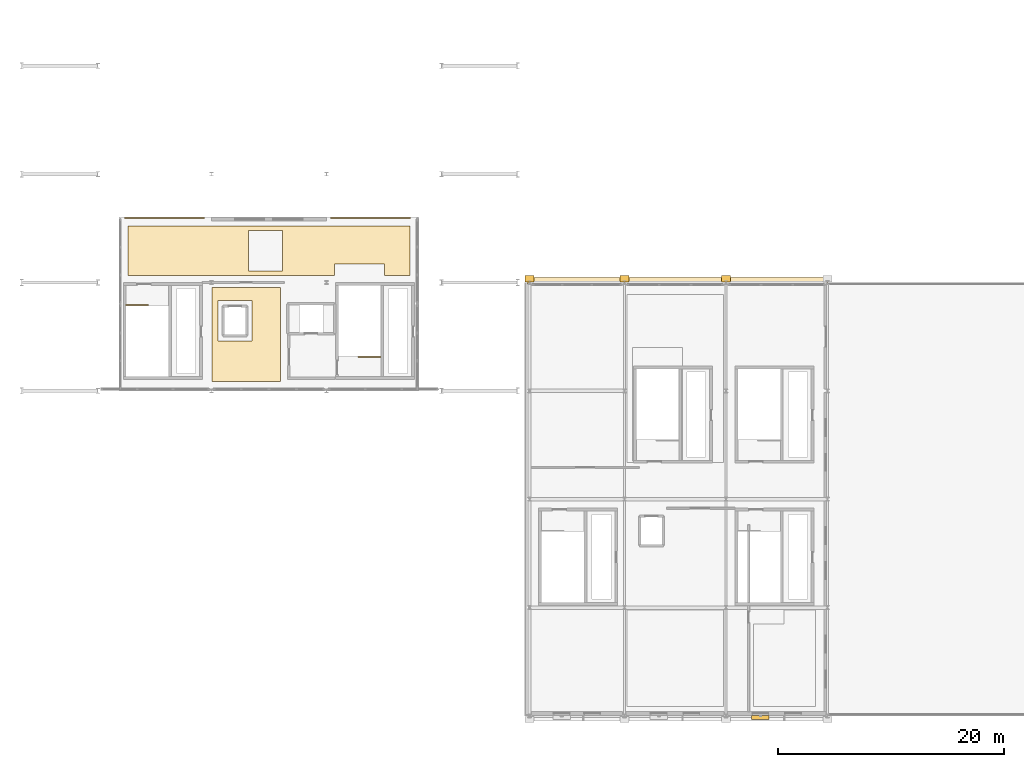
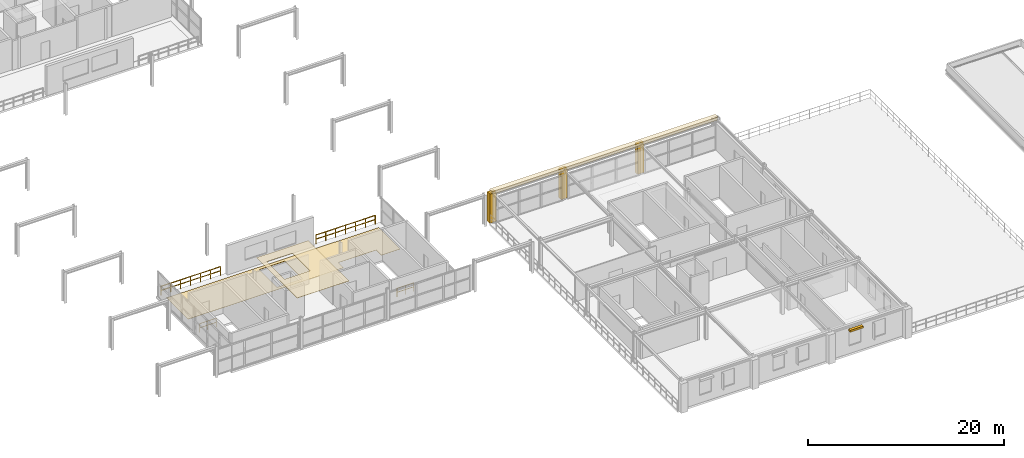
# One storey, part 45 of 52: 6 coverings, 4 railings, 1 shading device.
"""IFC4 building model written with IfcOpenShell, lengths in metres."""

from ifc_helpers import new_model, si_unit, direction, frame, origin, origin_2d, place, context, subcontext, project, spatial, polyline, rectangle, outline, extrude, material, layer, layer_set, type_object, element, save


model = new_model("IFC4")

# Units and contexts
model_context = context("Model", 3, precision=1e-05, world=origin(), true_north=direction((0.0, 1.0)))
body_context = subcontext(model_context, "Body", "Model", "MODEL_VIEW")
ifc_project = project(units=[si_unit("LENGTHUNIT", "METRE"), si_unit("AREAUNIT", "SQUARE_METRE"), si_unit("VOLUMEUNIT", "CUBIC_METRE"), si_unit("PLANEANGLEUNIT", "RADIAN"), si_unit("MASSUNIT", "GRAM", prefix="KILO")], contexts=[model_context])

# Site, building, storey
site_placement = place(None, origin())
site = spatial("IfcSite", under=ifc_project, at=site_placement, CompositionType="ELEMENT")
building_placement = place(site_placement, origin())
building = spatial("IfcBuilding", under=site, at=building_placement, Name="Myrtia Square Station", CompositionType="ELEMENT")
storey_placement = place(building_placement, frame((0.0, 0.0, 15.0)))
storey = spatial("IfcBuildingStorey", under=building, at=storey_placement, Name="L03", CompositionType="ELEMENT", Elevation=15.0)

# Coverings
ifc_material_1 = material(Name="Pentelic marble ashlar", Category="masonry")
ifc_layer_1 = layer(ifc_material_1, 0.4599609375, Name="Pentelic marble ashlar")
ifc_layer_set_1 = layer_set([ifc_layer_1], Name="Pentelic marble ashlar")
covering_type_1 = type_object("IfcCoveringType", Name="COV-ARCH-ASHLAR", PredefinedType="CLADDING", material=ifc_layer_set_1)
for number, where, z_axis, x_axis, name in (
    (1, (117.60009765625, 38.719970703125, -0.0400390625), (0.0, 0.0, 1.0), (1.0, 0.0, 0.0), "Classical Pentelic ashlar pilaster 007"),
    (2, (126.0, 38.719970703125, -0.0400390625), (0.0, 0.0, 1.0), (1.0, 0.0, 0.0), "Classical Pentelic ashlar pilaster 015"),
    (3, (135.0, 38.719970703125, -0.0400390625), (0.0, 0.0, 1.0), (1.0, 0.0, 0.0), "Classical Pentelic ashlar pilaster 023"),
):
    element("IfcCovering", number, at=place(storey_placement, frame(where, z_axis=z_axis, x_axis=x_axis)), inside=storey, type_object=covering_type_1, Name=name, PredefinedType="CLADDING", context=body_context, shape_type="SweptSolid", body=[
        extrude(rectangle(XDim=0.780029296875, YDim=0.56005859375, at=origin_2d()), origin(), (0.0, 0.0, 1.0), 3.639892578125),
    ])
ifc_material_2 = material(Name="Gypsum plasterboard")
ifc_layer_2 = layer(ifc_material_2, 0.034912109375, Name="Gypsum plasterboard")
ifc_layer_set_2 = layer_set([ifc_layer_2], Name="Gypsum plasterboard")
covering_type_2 = type_object("IfcCoveringType", Name="COV-CEIL-ACOUSTIC", PredefinedType="CEILING", material=ifc_layer_set_2)
covering_1_placement = place(storey_placement, frame((0.0, 0.0, 5.68505859375)))
element("IfcCovering", 4, at=covering_1_placement, inside=storey, type_object=covering_type_2, Name="Acoustic coffer ceiling L03-01", PredefinedType="CEILING", context=body_context, shape_type="SweptSolid", body=[
    extrude(outline(polyline([(95.550048828125, 37.949951171875), (95.550048828125, 29.64990234375), (89.449951171875, 29.64990234375), (89.449951171875, 37.949951171875), (95.550048828125, 37.949951171875)]), holes=[polyline([(90.0, 36.800048828125), (90.0, 33.199951171875), (93.0, 33.199951171875), (93.0, 36.800048828125), (90.0, 36.800048828125)])]), origin(), (0.0, 0.0, 1.0), 0.034912109375),
])
ifc_layer_3 = layer(ifc_material_1, 0.47998046875, Name="Pentelic marble ashlar")
ifc_layer_set_3 = layer_set([ifc_layer_3], Name="Pentelic marble ashlar")
covering_type_3 = type_object("IfcCoveringType", Name="COV-CORNICE-ASHLAR", PredefinedType="MOLDING", material=ifc_layer_set_3)
covering_2_placement = place(storey_placement, frame((130.699951171875, 38.570068359375, 3.580078125), z_axis=(0.0, 0.0, 1.0), x_axis=(1.0, 0.0, 0.0)))
element("IfcCovering", 5, at=covering_2_placement, inside=storey, type_object=covering_type_3, Name="Classical entablature cornice moulding 006", PredefinedType="MOLDING", context=body_context, shape_type="SweptSolid", body=[
    extrude(rectangle(XDim=26.60009765625, YDim=0.580078125, at=origin_2d()), origin(), (0.0, 0.0, 1.0), 0.360107421875),
])
ifc_material_3 = material(Name="Terrazzo stone tile", Category="masonry")
ifc_layer_4 = layer(ifc_material_3, 0.02490234375, Name="Terrazzo stone tile")
ifc_layer_set_4 = layer_set([ifc_layer_4], Name="Terrazzo stone tile")
covering_type_4 = type_object("IfcCoveringType", Name="COV-FLR-TERRAZZO", PredefinedType="FLOORING", material=ifc_layer_set_4)
covering_3_placement = place(storey_placement, origin())
element("IfcCovering", 6, at=covering_3_placement, inside=storey, type_object=covering_type_4, Name="Terrazzo concourse flooring L03-C1", PredefinedType="FLOORING", context=body_context, shape_type="SweptSolid", body=[
    extrude(outline(polyline([(82.0, 43.39990234375), (107.0, 43.39990234375), (107.0, 39.0), (104.760009765625, 39.0), (104.760009765625, 40.050048828125), (100.300048828125, 40.050048828125), (100.300048828125, 39.0), (82.0, 39.0), (82.0, 43.39990234375)]), holes=[polyline([(95.699951171875, 43.0), (92.699951171875, 43.0), (92.699951171875, 39.39990234375), (95.699951171875, 39.39990234375), (95.699951171875, 43.0)])]), origin(), (0.0, 0.0, 1.0), 0.02490234375),
])

# Railings
ifc_material_4 = material(Name="Wrought iron", Category="steel")
railing_type = type_object("IfcRailingType", Name="RL-INT-GUARD-1100", PredefinedType="BALUSTRADE", material=ifc_material_4)
railing_1_placement = place(storey_placement, frame((81.85009765625, 36.39990234375, 0.0)))
element("IfcRailing", 7, at=railing_1_placement, inside=storey, type_object=railing_type, Name="L03 ST01 top well guard 1", PredefinedType="BALUSTRADE", context=body_context, shape_type="SweptSolid", body=[
    extrude(rectangle(XDim=0.048095703125, YDim=0.048095703125, at=origin_2d()), frame((0.03466796875, 0.0, 1.09619140625), z_axis=(1.0, 0.0, 0.0), x_axis=(0.0, 1.0, 0.0)), (0.0, 0.0, 1.0), 0.91064453125),
    extrude(rectangle(XDim=0.048095703125, YDim=0.048095703125, at=origin_2d()), frame((0.03466796875, 0.0, 0.58251953125), z_axis=(1.0, 0.0, 0.0), x_axis=(0.0, 1.0, 0.0)), (0.0, 0.0, 1.0), 0.91064453125),
    extrude(rectangle(XDim=0.048095703125, YDim=0.048095703125, at=origin_2d()), frame((1.0146484375, 0.0, 1.09619140625), z_axis=(1.0, 0.0, 0.0), x_axis=(0.0, 1.0, 0.0)), (0.0, 0.0, 1.0), 0.91064453125),
    extrude(rectangle(XDim=0.048095703125, YDim=0.048095703125, at=origin_2d()), frame((1.0146484375, 0.0, 0.58251953125), z_axis=(1.0, 0.0, 0.0), x_axis=(0.0, 1.0, 0.0)), (0.0, 0.0, 1.0), 0.91064453125),
    extrude(rectangle(XDim=0.0439453125, YDim=0.0439453125, at=origin_2d()), origin(), (0.0, 0.0, 1.0), 1.1201171875),
    extrude(rectangle(XDim=0.0439453125, YDim=0.0439453125, at=origin_2d()), frame((0.97998046875, 0.0, 0.0)), (0.0, 0.0, 1.0), 1.1201171875),
    extrude(rectangle(XDim=0.0439453125, YDim=0.0439453125, at=origin_2d()), frame((1.9599609375, 0.0, 0.0)), (0.0, 0.0, 1.0), 1.1201171875),
])
railing_2_placement = place(storey_placement, frame((104.409912109375, 31.800048828125, 0.0)))
element("IfcRailing", 8, at=railing_2_placement, inside=storey, type_object=railing_type, Name="L03 ST03 top well guard 1", PredefinedType="BALUSTRADE", context=body_context, shape_type="SweptSolid", body=[
    extrude(rectangle(XDim=0.048095703125, YDim=0.048095703125, at=origin_2d()), frame((-0.03466796875, 0.0, 1.09619140625), z_axis=(-1.0, 0.0, 0.0), x_axis=(0.0, -1.0, 0.0)), (0.0, 0.0, 1.0), 0.91064453125),
    extrude(rectangle(XDim=0.048095703125, YDim=0.048095703125, at=origin_2d()), frame((-0.03466796875, 0.0, 0.58251953125), z_axis=(-1.0, 0.0, 0.0), x_axis=(0.0, -1.0, 0.0)), (0.0, 0.0, 1.0), 0.91064453125),
    extrude(rectangle(XDim=0.048095703125, YDim=0.048095703125, at=origin_2d()), frame((-1.0146484375, 0.0, 1.09619140625), z_axis=(-1.0, 0.0, 0.0), x_axis=(0.0, -1.0, 0.0)), (0.0, 0.0, 1.0), 0.91064453125),
    extrude(rectangle(XDim=0.048095703125, YDim=0.048095703125, at=origin_2d()), frame((-1.0146484375, 0.0, 0.58251953125), z_axis=(-1.0, 0.0, 0.0), x_axis=(0.0, -1.0, 0.0)), (0.0, 0.0, 1.0), 0.91064453125),
    extrude(rectangle(XDim=0.0439453125, YDim=0.0439453125, at=origin_2d()), origin(), (0.0, 0.0, 1.0), 1.1201171875),
    extrude(rectangle(XDim=0.0439453125, YDim=0.0439453125, at=origin_2d()), frame((-0.97998046875, 0.0, 0.0)), (0.0, 0.0, 1.0), 1.1201171875),
    extrude(rectangle(XDim=0.0439453125, YDim=0.0439453125, at=origin_2d()), frame((-1.9599609375, 0.0, 0.0)), (0.0, 0.0, 1.0), 1.1201171875),
])
railing_3_placement = place(storey_placement, frame((107.0, 44.1201171875, 0.0)))
element("IfcRailing", 9, at=railing_3_placement, inside=storey, type_object=railing_type, Name="Perimeter slab edge balustrade L03-058", PredefinedType="BALUSTRADE", context=body_context, shape_type="SweptSolid", body=[
    extrude(rectangle(XDim=0.048095703125, YDim=0.048095703125, at=origin_2d()), frame((-0.03466796875, 0.0, 1.09619140625), z_axis=(-1.0, 0.0, 0.0), x_axis=(0.0, -1.0, 0.0)), (0.0, 0.0, 1.0), 1.097412109375),
    extrude(rectangle(XDim=0.048095703125, YDim=0.048095703125, at=origin_2d()), frame((-0.03466796875, 0.0, 0.58251953125), z_axis=(-1.0, 0.0, 0.0), x_axis=(0.0, -1.0, 0.0)), (0.0, 0.0, 1.0), 1.097412109375),
    extrude(rectangle(XDim=0.048095703125, YDim=0.048095703125, at=origin_2d()), frame((-1.201416015625, 0.0, 1.09619140625), z_axis=(-1.0, 0.0, 0.0), x_axis=(0.0, -1.0, 0.0)), (0.0, 0.0, 1.0), 1.097412109375),
    extrude(rectangle(XDim=0.048095703125, YDim=0.048095703125, at=origin_2d()), frame((-1.201416015625, 0.0, 0.58251953125), z_axis=(-1.0, 0.0, 0.0), x_axis=(0.0, -1.0, 0.0)), (0.0, 0.0, 1.0), 1.097412109375),
    extrude(rectangle(XDim=0.048095703125, YDim=0.048095703125, at=origin_2d()), frame((-2.367919921875, 0.0, 1.09619140625), z_axis=(-1.0, 0.0, 0.0), x_axis=(0.0, -1.0, 0.0)), (0.0, 0.0, 1.0), 1.097412109375),
    extrude(rectangle(XDim=0.048095703125, YDim=0.048095703125, at=origin_2d()), frame((-2.367919921875, 0.0, 0.58251953125), z_axis=(-1.0, 0.0, 0.0), x_axis=(0.0, -1.0, 0.0)), (0.0, 0.0, 1.0), 1.097412109375),
    extrude(rectangle(XDim=0.048095703125, YDim=0.048095703125, at=origin_2d()), frame((-3.53466796875, 0.0, 1.09619140625), z_axis=(-1.0, 0.0, 0.0), x_axis=(0.0, -1.0, 0.0)), (0.0, 0.0, 1.0), 1.097412109375),
    extrude(rectangle(XDim=0.048095703125, YDim=0.048095703125, at=origin_2d()), frame((-3.53466796875, 0.0, 0.58251953125), z_axis=(-1.0, 0.0, 0.0), x_axis=(0.0, -1.0, 0.0)), (0.0, 0.0, 1.0), 1.097412109375),
    extrude(rectangle(XDim=0.048095703125, YDim=0.048095703125, at=origin_2d()), frame((-4.701416015625, 0.0, 1.09619140625), z_axis=(-1.0, 0.0, 0.0), x_axis=(0.0, -1.0, 0.0)), (0.0, 0.0, 1.0), 1.097412109375),
    extrude(rectangle(XDim=0.048095703125, YDim=0.048095703125, at=origin_2d()), frame((-4.701416015625, 0.0, 0.58251953125), z_axis=(-1.0, 0.0, 0.0), x_axis=(0.0, -1.0, 0.0)), (0.0, 0.0, 1.0), 1.097412109375),
    extrude(rectangle(XDim=0.048095703125, YDim=0.048095703125, at=origin_2d()), frame((-5.867919921875, 0.0, 1.09619140625), z_axis=(-1.0, 0.0, 0.0), x_axis=(0.0, -1.0, 0.0)), (0.0, 0.0, 1.0), 1.097412109375),
    extrude(rectangle(XDim=0.048095703125, YDim=0.048095703125, at=origin_2d()), frame((-5.867919921875, 0.0, 0.58251953125), z_axis=(-1.0, 0.0, 0.0), x_axis=(0.0, -1.0, 0.0)), (0.0, 0.0, 1.0), 1.097412109375),
    extrude(rectangle(XDim=0.0439453125, YDim=0.0439453125, at=origin_2d()), origin(), (0.0, 0.0, 1.0), 1.1201171875),
    extrude(rectangle(XDim=0.0439453125, YDim=0.0439453125, at=origin_2d()), frame((-1.166748046875, 0.0, 0.0)), (0.0, 0.0, 1.0), 1.1201171875),
    extrude(rectangle(XDim=0.0439453125, YDim=0.0439453125, at=origin_2d()), frame((-2.333251953125, 0.0, 0.0)), (0.0, 0.0, 1.0), 1.1201171875),
    extrude(rectangle(XDim=0.0439453125, YDim=0.0439453125, at=origin_2d()), frame((-3.5, 0.0, 0.0)), (0.0, 0.0, 1.0), 1.1201171875),
    extrude(rectangle(XDim=0.0439453125, YDim=0.0439453125, at=origin_2d()), frame((-4.666748046875, 0.0, 0.0)), (0.0, 0.0, 1.0), 1.1201171875),
    extrude(rectangle(XDim=0.0439453125, YDim=0.0439453125, at=origin_2d()), frame((-5.833251953125, 0.0, 0.0)), (0.0, 0.0, 1.0), 1.1201171875),
    extrude(rectangle(XDim=0.0439453125, YDim=0.0439453125, at=origin_2d()), frame((-7.0, 0.0, 0.0)), (0.0, 0.0, 1.0), 1.1201171875),
])
railing_4_placement = place(storey_placement, frame((88.75, 44.1201171875, 0.0)))
element("IfcRailing", 10, at=railing_4_placement, inside=storey, type_object=railing_type, Name="Perimeter slab edge balustrade L03-059", PredefinedType="BALUSTRADE", context=body_context, shape_type="SweptSolid", body=[
    extrude(rectangle(XDim=0.048095703125, YDim=0.048095703125, at=origin_2d()), frame((-0.03466796875, 0.0, 1.09619140625), z_axis=(-1.0, 0.0, 0.0), x_axis=(0.0, -1.0, 0.0)), (0.0, 0.0, 1.0), 1.097412109375),
    extrude(rectangle(XDim=0.048095703125, YDim=0.048095703125, at=origin_2d()), frame((-0.03466796875, 0.0, 0.58251953125), z_axis=(-1.0, 0.0, 0.0), x_axis=(0.0, -1.0, 0.0)), (0.0, 0.0, 1.0), 1.097412109375),
    extrude(rectangle(XDim=0.048095703125, YDim=0.048095703125, at=origin_2d()), frame((-1.201416015625, 0.0, 1.09619140625), z_axis=(-1.0, 0.0, 0.0), x_axis=(0.0, -1.0, 0.0)), (0.0, 0.0, 1.0), 1.097412109375),
    extrude(rectangle(XDim=0.048095703125, YDim=0.048095703125, at=origin_2d()), frame((-1.201416015625, 0.0, 0.58251953125), z_axis=(-1.0, 0.0, 0.0), x_axis=(0.0, -1.0, 0.0)), (0.0, 0.0, 1.0), 1.097412109375),
    extrude(rectangle(XDim=0.048095703125, YDim=0.048095703125, at=origin_2d()), frame((-2.367919921875, 0.0, 1.09619140625), z_axis=(-1.0, 0.0, 0.0), x_axis=(0.0, -1.0, 0.0)), (0.0, 0.0, 1.0), 1.097412109375),
    extrude(rectangle(XDim=0.048095703125, YDim=0.048095703125, at=origin_2d()), frame((-2.367919921875, 0.0, 0.58251953125), z_axis=(-1.0, 0.0, 0.0), x_axis=(0.0, -1.0, 0.0)), (0.0, 0.0, 1.0), 1.097412109375),
    extrude(rectangle(XDim=0.048095703125, YDim=0.048095703125, at=origin_2d()), frame((-3.53466796875, 0.0, 1.09619140625), z_axis=(-1.0, 0.0, 0.0), x_axis=(0.0, -1.0, 0.0)), (0.0, 0.0, 1.0), 1.097412109375),
    extrude(rectangle(XDim=0.048095703125, YDim=0.048095703125, at=origin_2d()), frame((-3.53466796875, 0.0, 0.58251953125), z_axis=(-1.0, 0.0, 0.0), x_axis=(0.0, -1.0, 0.0)), (0.0, 0.0, 1.0), 1.097412109375),
    extrude(rectangle(XDim=0.048095703125, YDim=0.048095703125, at=origin_2d()), frame((-4.701416015625, 0.0, 1.09619140625), z_axis=(-1.0, 0.0, 0.0), x_axis=(0.0, -1.0, 0.0)), (0.0, 0.0, 1.0), 1.097412109375),
    extrude(rectangle(XDim=0.048095703125, YDim=0.048095703125, at=origin_2d()), frame((-4.701416015625, 0.0, 0.58251953125), z_axis=(-1.0, 0.0, 0.0), x_axis=(0.0, -1.0, 0.0)), (0.0, 0.0, 1.0), 1.097412109375),
    extrude(rectangle(XDim=0.048095703125, YDim=0.048095703125, at=origin_2d()), frame((-5.867919921875, 0.0, 1.09619140625), z_axis=(-1.0, 0.0, 0.0), x_axis=(0.0, -1.0, 0.0)), (0.0, 0.0, 1.0), 1.097412109375),
    extrude(rectangle(XDim=0.048095703125, YDim=0.048095703125, at=origin_2d()), frame((-5.867919921875, 0.0, 0.58251953125), z_axis=(-1.0, 0.0, 0.0), x_axis=(0.0, -1.0, 0.0)), (0.0, 0.0, 1.0), 1.097412109375),
    extrude(rectangle(XDim=0.0439453125, YDim=0.0439453125, at=origin_2d()), origin(), (0.0, 0.0, 1.0), 1.1201171875),
    extrude(rectangle(XDim=0.0439453125, YDim=0.0439453125, at=origin_2d()), frame((-1.166748046875, 0.0, 0.0)), (0.0, 0.0, 1.0), 1.1201171875),
    extrude(rectangle(XDim=0.0439453125, YDim=0.0439453125, at=origin_2d()), frame((-2.333251953125, 0.0, 0.0)), (0.0, 0.0, 1.0), 1.1201171875),
    extrude(rectangle(XDim=0.0439453125, YDim=0.0439453125, at=origin_2d()), frame((-3.5, 0.0, 0.0)), (0.0, 0.0, 1.0), 1.1201171875),
    extrude(rectangle(XDim=0.0439453125, YDim=0.0439453125, at=origin_2d()), frame((-4.666748046875, 0.0, 0.0)), (0.0, 0.0, 1.0), 1.1201171875),
    extrude(rectangle(XDim=0.0439453125, YDim=0.0439453125, at=origin_2d()), frame((-5.833251953125, 0.0, 0.0)), (0.0, 0.0, 1.0), 1.1201171875),
    extrude(rectangle(XDim=0.0439453125, YDim=0.0439453125, at=origin_2d()), frame((-7.0, 0.0, 0.0)), (0.0, 0.0, 1.0), 1.1201171875),
])

# Shading device
ifc_material_5 = material(Name="Dark bronze anodised aluminium", Category="aluminium")
shading_device_type = type_object("IfcShadingDeviceType", Name="SHD-JALOUSIE-BRONZE", PredefinedType="JALOUSIE", material=ifc_material_5)
shading_device_placement = place(storey_placement, frame((138.052001953125, -0.14990234375, 2.89013671875), z_axis=(0.0, 0.0, 1.0), x_axis=(1.0, 0.0, 0.0)))
element("IfcShadingDevice", 11, at=shading_device_placement, inside=storey, type_object=shading_device_type, Name="Mediterranean bronze solar louvre SHL-026", PredefinedType="JALOUSIE", context=body_context, shape_type="SweptSolid", body=[
    extrude(rectangle(XDim=1.56005859375, YDim=0.35009765625, at=origin_2d()), origin(), (0.0, 0.0, 1.0), 0.219970703125),
])

save(model, "model.ifc")
